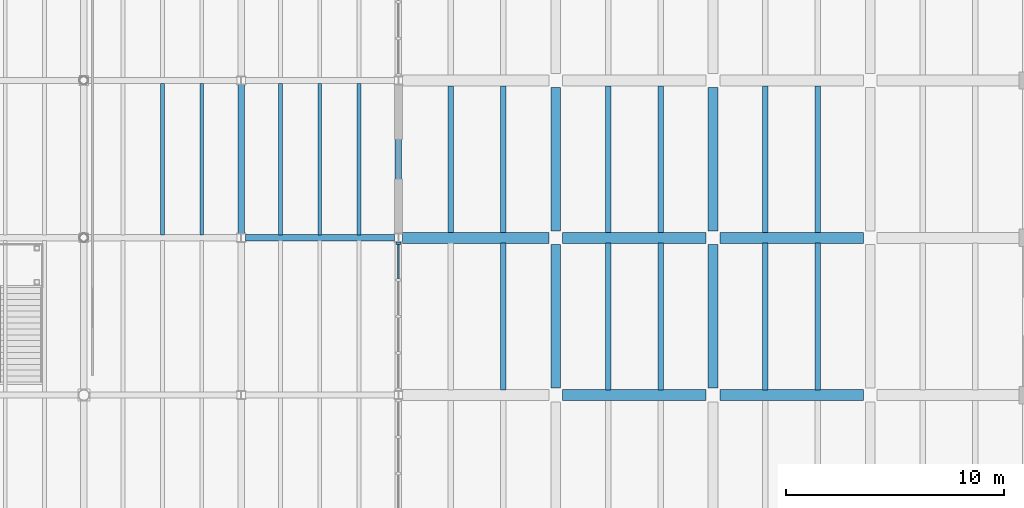
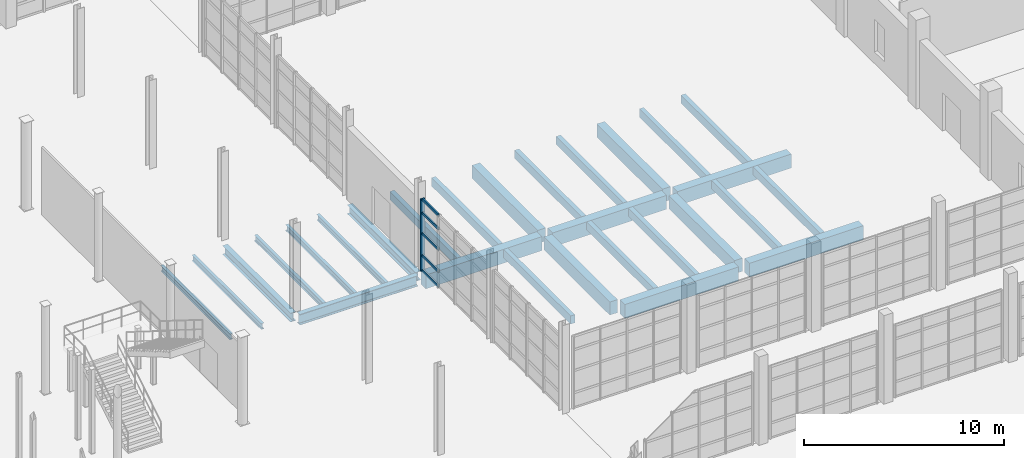
# One storey, part 31 of 79: 28 beams, 6 members, 1 element without a shape of its own.
"""IFC4 building model written with IfcOpenShell, lengths in metres."""

from ifc_helpers import new_model, si_unit, direction, frame, origin, origin_2d, place, context, subcontext, project, spatial, rectangle, i_section, extrude, material, material_profile, profile_set, type_object, element, aggregate, save


model = new_model("IFC4")

# Units and contexts
model_context = context("Model", 3, precision=1e-05, world=origin(), true_north=direction((0.0, 1.0)))
body_context = subcontext(model_context, "Body", "Model", "MODEL_VIEW")
ifc_project = project(units=[si_unit("LENGTHUNIT", "METRE"), si_unit("AREAUNIT", "SQUARE_METRE"), si_unit("VOLUMEUNIT", "CUBIC_METRE"), si_unit("PLANEANGLEUNIT", "RADIAN"), si_unit("MASSUNIT", "GRAM", prefix="KILO")], contexts=[model_context])

# Site, building, storey
site_placement = place(None, origin())
site = spatial("IfcSite", under=ifc_project, at=site_placement, CompositionType="ELEMENT")
building_placement = place(site_placement, origin())
building = spatial("IfcBuilding", under=site, at=building_placement, Name="Qiaolan Assembly House", CompositionType="ELEMENT")
storey_placement = place(building_placement, origin())
storey = spatial("IfcBuildingStorey", under=building, at=storey_placement, Name="L00", CompositionType="ELEMENT", Elevation=0.0)

# Beams
ifc_material_1 = material(Name="Concrete C40/50", Category="concrete")
ifc_material_profile_1 = material_profile(ifc_material_1, rectangle(XDim=0.449951171875, YDim=0.800048828125, at=origin_2d()), Name="RCB 450x800")
ifc_profile_set_1 = profile_set([ifc_material_profile_1], Name="Concrete C40/50")
beam_type_1 = type_object("IfcBeamType", Name="BM-RC-450x800", PredefinedType="BEAM", material=ifc_profile_set_1)
beam_1_placement = place(storey_placement, frame((115.199951171875, 50.715087890625, -0.739990234375), z_axis=(0.0, 1.0, 0.0), x_axis=(-1.0, 0.0, 0.0)))
element("IfcBeam", 1, at=beam_1_placement, inside=storey, type_object=beam_type_1, Name="GB-03 beam BMY-CLCRT-L00-01-01", PredefinedType="BEAM", context=body_context, shape_type="SweptSolid", body=[
    extrude(rectangle(XDim=0.449951171875, YDim=0.800048828125, at=origin_2d()), origin(), (0.0, 0.0, 1.0), 6.56982421875),
])
beam_2_placement = place(storey_placement, frame((115.199951171875, 57.9150390625, -0.739990234375), z_axis=(0.0, 1.0, 0.0), x_axis=(-1.0, 0.0, 0.0)))
element("IfcBeam", 2, at=beam_2_placement, inside=storey, type_object=beam_type_1, Name="GB-03 beam BMY-CLCRT-L00-01-02", PredefinedType="BEAM", context=body_context, shape_type="SweptSolid", body=[
    extrude(rectangle(XDim=0.449951171875, YDim=0.800048828125, at=origin_2d()), origin(), (0.0, 0.0, 1.0), 6.570068359375),
])
beam_3_placement = place(storey_placement, frame((122.39990234375, 50.715087890625, -0.739990234375), z_axis=(0.0, 1.0, 0.0), x_axis=(-1.0, 0.0, 0.0)))
element("IfcBeam", 3, at=beam_3_placement, inside=storey, type_object=beam_type_1, Name="GB-03 beam BMY-CLCRT-L00-02-01", PredefinedType="BEAM", context=body_context, shape_type="SweptSolid", body=[
    extrude(rectangle(XDim=0.449951171875, YDim=0.800048828125, at=origin_2d()), origin(), (0.0, 0.0, 1.0), 6.56982421875),
])
beam_4_placement = place(storey_placement, frame((122.39990234375, 57.9150390625, -0.739990234375), z_axis=(0.0, 1.0, 0.0), x_axis=(-1.0, 0.0, 0.0)))
element("IfcBeam", 4, at=beam_4_placement, inside=storey, type_object=beam_type_1, Name="GB-03 beam BMY-CLCRT-L00-02-02", PredefinedType="BEAM", context=body_context, shape_type="SweptSolid", body=[
    extrude(rectangle(XDim=0.449951171875, YDim=0.800048828125, at=origin_2d()), origin(), (0.0, 0.0, 1.0), 6.570068359375),
])
ifc_material_2 = material(Name="Concrete C45/55", Category="concrete")
ifc_material_profile_2 = material_profile(ifc_material_2, rectangle(XDim=0.5, YDim=0.85009765625, at=origin_2d()), Name="RCB 500x850")
ifc_profile_set_2 = profile_set([ifc_material_profile_2], Name="Concrete C45/55")
beam_type_2 = type_object("IfcBeamType", Name="BM-RC-500x850", PredefinedType="BEAM", material=ifc_profile_set_2)
beam_5_placement = place(storey_placement, frame((115.514892578125, 50.39990234375, -0.764892578125), z_axis=(1.0, 0.0, 0.0), x_axis=(0.0, 1.0, 0.0)))
element("IfcBeam", 5, at=beam_5_placement, inside=storey, type_object=beam_type_2, Name="GB-02 beam BMX-CLCRT-L00-01-01", PredefinedType="BEAM", context=body_context, shape_type="SweptSolid", body=[
    extrude(rectangle(XDim=0.5, YDim=0.85009765625, at=origin_2d()), origin(), (0.0, 0.0, 1.0), 6.570068359375),
])
beam_6_placement = place(storey_placement, frame((122.715087890625, 50.39990234375, -0.764892578125), z_axis=(1.0, 0.0, 0.0), x_axis=(0.0, 1.0, 0.0)))
element("IfcBeam", 6, at=beam_6_placement, inside=storey, type_object=beam_type_2, Name="GB-02 beam BMX-CLCRT-L00-02-01", PredefinedType="BEAM", context=body_context, shape_type="SweptSolid", body=[
    extrude(rectangle(XDim=0.5, YDim=0.85009765625, at=origin_2d()), origin(), (0.0, 0.0, 1.0), 6.56982421875),
])
beam_7_placement = place(storey_placement, frame((108.18994140625, 57.60009765625, -0.764892578125), z_axis=(1.0, 0.0, 0.0), x_axis=(0.0, 1.0, 0.0)))
element("IfcBeam", 7, at=beam_7_placement, inside=storey, type_object=beam_type_2, Name="GB-02 beam BMX-CLCRT-L00-00-02", PredefinedType="BEAM", context=body_context, shape_type="SweptSolid", body=[
    extrude(rectangle(XDim=0.5, YDim=0.85009765625, at=origin_2d()), origin(), (0.0, 0.0, 1.0), 6.695068359375),
])
beam_8_placement = place(storey_placement, frame((115.514892578125, 57.60009765625, -0.764892578125), z_axis=(1.0, 0.0, 0.0), x_axis=(0.0, 1.0, 0.0)))
element("IfcBeam", 8, at=beam_8_placement, inside=storey, type_object=beam_type_2, Name="GB-02 beam BMX-CLCRT-L00-01-02", PredefinedType="BEAM", context=body_context, shape_type="SweptSolid", body=[
    extrude(rectangle(XDim=0.5, YDim=0.85009765625, at=origin_2d()), origin(), (0.0, 0.0, 1.0), 6.570068359375),
])
beam_9_placement = place(storey_placement, frame((122.715087890625, 57.60009765625, -0.764892578125), z_axis=(1.0, 0.0, 0.0), x_axis=(0.0, 1.0, 0.0)))
element("IfcBeam", 9, at=beam_9_placement, inside=storey, type_object=beam_type_2, Name="GB-02 beam BMX-CLCRT-L00-02-02", PredefinedType="BEAM", context=body_context, shape_type="SweptSolid", body=[
    extrude(rectangle(XDim=0.5, YDim=0.85009765625, at=origin_2d()), origin(), (0.0, 0.0, 1.0), 6.56982421875),
])
ifc_material_3 = material(Name="Steel Q355B", Category="steel")
ifc_material_profile_3 = material_profile(ifc_material_3, i_section(OverallWidth=0.300048828125, OverallDepth=0.5400390625, WebThickness=0.010986328125, FlangeThickness=0.01806640625, FilletRadius=0.02001953125, at=origin_2d()), Name="HM 540x300x11x18")
ifc_profile_set_3 = profile_set([ifc_material_profile_3], Name="Steel Q355B")
beam_type_3 = type_object("IfcBeamType", Name="BM-STL-HM540", PredefinedType="BEAM", material=ifc_profile_set_3)
for number, where, z_axis, x_axis, name in (
    (10, (100.800048828125, 57.7900390625, -0.570068359375), (0.0, 1.0, 0.0), (-1.0, 0.0, 0.0), "SB-12 beam BMY-HL-L00-11-03"),
    (11, (108.0, 57.7900390625, -0.610107421875), (0.0, 1.0, 0.0), (-1.0, 0.0, 0.0), "SB-12 beam BMY-HL-L00-12-03"),
):
    element("IfcBeam", number, at=place(storey_placement, frame(where, z_axis=z_axis, x_axis=x_axis)), inside=storey, type_object=beam_type_3, Name=name, PredefinedType="BEAM", context=body_context, shape_type="SweptSolid", body=[
        extrude(i_section(OverallWidth=0.300048828125, OverallDepth=0.5400390625, WebThickness=0.010986328125, FlangeThickness=0.01806640625, FilletRadius=0.02001953125, at=origin_2d()), origin(), (0.0, 0.0, 1.0), 6.820068359375),
    ])
ifc_material_profile_4 = material_profile(ifc_material_3, i_section(OverallWidth=0.280029296875, OverallDepth=0.64990234375, WebThickness=0.011962890625, FlangeThickness=0.02197265625, FilletRadius=0.02197265625, at=origin_2d()), Name="HN 650x280x12x22")
ifc_profile_set_4 = profile_set([ifc_material_profile_4], Name="Steel Q355B")
beam_type_4 = type_object("IfcBeamType", Name="BM-STL-HN650", PredefinedType="BEAM", material=ifc_profile_set_4)
beam_10_placement = place(storey_placement, frame((100.989990234375, 57.60009765625, -0.625), z_axis=(1.0, 0.0, 0.0), x_axis=(0.0, 1.0, 0.0)))
element("IfcBeam", 12, at=beam_10_placement, inside=storey, type_object=beam_type_4, Name="SB-10 beam BMX-HL-L00-11-03", PredefinedType="BEAM", context=body_context, shape_type="SweptSolid", body=[
    extrude(i_section(OverallWidth=0.280029296875, OverallDepth=0.64990234375, WebThickness=0.011962890625, FlangeThickness=0.02197265625, FilletRadius=0.02197265625, at=origin_2d()), origin(), (0.0, 0.0, 1.0), 6.820068359375),
])

# Curtain wall, members
ifc_material_4 = material(Name="Anodised bronze aluminium", Category="aluminium")
curtain_wall_type = type_object("IfcCurtainWallType", Name="CW-HALL-MAIN-540", PredefinedType="NOTDEFINED", material=ifc_material_4)
curtain_wall_placement = place(storey_placement, origin())
curtain_wall = element("IfcCurtainWall", 13, at=curtain_wall_placement, inside=storey, type_object=curtain_wall_type, Name="CW-01 Hall East court curtain wall L00-2", PredefinedType="NOTDEFINED")
ifc_material_profile_5 = material_profile(ifc_material_4, rectangle(XDim=0.092041015625, YDim=0.219970703125, at=origin_2d()), Name="MUL 92x220")
ifc_profile_set_5 = profile_set([ifc_material_profile_5], Name="Anodised bronze aluminium")
member_type_1 = type_object("IfcMemberType", Name="CW-HALL-MAIN-540-MUL", PredefinedType="MULLION", material=ifc_profile_set_5)
member_1_placement = place(storey_placement, frame((108.0, 57.35009765625, 0.0), z_axis=(0.0, 0.0, 1.0), x_axis=(0.0, -1.0, 0.0)))
member_1 = element("IfcMember", 14, at=member_1_placement, type_object=member_type_1, Name="ML-01 mullion CW-HALL-E-L00-01-1", PredefinedType="MULLION", context=body_context, shape_type="SweptSolid", body=[
    extrude(rectangle(XDim=0.092041015625, YDim=0.219970703125, at=origin_2d()), origin(), (0.0, 0.0, 1.0), 4.39990234375),
])
ifc_material_profile_6 = material_profile(ifc_material_4, rectangle(XDim=0.08203125, YDim=0.159912109375, at=origin_2d()), Name="TRN 82x160")
ifc_profile_set_6 = profile_set([ifc_material_profile_6], Name="Anodised bronze aluminium")
member_type_2 = type_object("IfcMemberType", Name="CW-HALL-MAIN-540-TRN", PredefinedType="USERDEFINED", material=ifc_profile_set_6)
member_2_placement = place(storey_placement, frame((108.0, 57.303955078125, 0.030029296875), z_axis=(0.0, -1.0, 0.0), x_axis=(1.0, 0.0, 0.0)))
member_2 = element("IfcMember", 15, at=member_2_placement, type_object=member_type_2, Name="TR-01 transom CW-HALL-E-L00-01-1-1", ObjectType="TRANSOM", PredefinedType="USERDEFINED", context=body_context, shape_type="SweptSolid", body=[
    extrude(rectangle(XDim=0.08203125, YDim=0.159912109375, at=origin_2d()), origin(), (0.0, 0.0, 1.0), 1.5830078125),
])
member_3_placement = place(storey_placement, frame((108.0, 57.303955078125, 0.949951171875), z_axis=(0.0, -1.0, 0.0), x_axis=(1.0, 0.0, 0.0)))
member_3 = element("IfcMember", 16, at=member_3_placement, type_object=member_type_2, Name="TR-01 transom CW-HALL-E-L00-01-1-2", ObjectType="TRANSOM", PredefinedType="USERDEFINED", context=body_context, shape_type="SweptSolid", body=[
    extrude(rectangle(XDim=0.08203125, YDim=0.159912109375, at=origin_2d()), origin(), (0.0, 0.0, 1.0), 1.5830078125),
])
member_4_placement = place(storey_placement, frame((108.0, 57.303955078125, 2.2880859375), z_axis=(0.0, -1.0, 0.0), x_axis=(1.0, 0.0, 0.0)))
member_4 = element("IfcMember", 17, at=member_4_placement, type_object=member_type_2, Name="TR-01 transom CW-HALL-E-L00-01-1-3", ObjectType="TRANSOM", PredefinedType="USERDEFINED", context=body_context, shape_type="SweptSolid", body=[
    extrude(rectangle(XDim=0.08203125, YDim=0.159912109375, at=origin_2d()), origin(), (0.0, 0.0, 1.0), 1.5830078125),
])
member_5_placement = place(storey_placement, frame((108.0, 57.303955078125, 3.550048828125), z_axis=(0.0, -1.0, 0.0), x_axis=(1.0, 0.0, 0.0)))
member_5 = element("IfcMember", 18, at=member_5_placement, type_object=member_type_2, Name="TR-01 transom CW-HALL-E-L00-01-1-4", ObjectType="TRANSOM", PredefinedType="USERDEFINED", context=body_context, shape_type="SweptSolid", body=[
    extrude(rectangle(XDim=0.08203125, YDim=0.159912109375, at=origin_2d()), origin(), (0.0, 0.0, 1.0), 1.5830078125),
])
member_6_placement = place(storey_placement, frame((108.0, 57.303955078125, 4.3701171875), z_axis=(0.0, -1.0, 0.0), x_axis=(1.0, 0.0, 0.0)))
member_6 = element("IfcMember", 19, at=member_6_placement, type_object=member_type_2, Name="TR-01 transom CW-HALL-E-L00-01-1-5", ObjectType="TRANSOM", PredefinedType="USERDEFINED", context=body_context, shape_type="SweptSolid", body=[
    extrude(rectangle(XDim=0.08203125, YDim=0.159912109375, at=origin_2d()), origin(), (0.0, 0.0, 1.0), 1.5830078125),
])
aggregate(curtain_wall, [member_1, member_2, member_3, member_4, member_5, member_6])

# Beams
ifc_material_profile_7 = material_profile(ifc_material_1, rectangle(XDim=0.25, YDim=0.5, at=origin_2d()), Name="RCB 250x500")
ifc_profile_set_7 = profile_set([ifc_material_profile_7], Name="Concrete C40/50")
beam_type_5 = type_object("IfcBeamType", Name="JST-RC-250x500", PredefinedType="JOIST", material=ifc_profile_set_7)
for number, where, z_axis, x_axis, name in (
    (20, (112.800048828125, 50.64404296875, -0.590087890625), (0.0, 1.0, 0.0), (-1.0, 0.0, 0.0), "RJ-01 beam JST-CLCRT-L00-00-01-2"),
    (21, (110.39990234375, 57.843994140625, -0.590087890625), (0.0, 1.0, 0.0), (-1.0, 0.0, 0.0), "RJ-01 beam JST-CLCRT-L00-00-02-1"),
    (22, (112.800048828125, 57.843994140625, -0.590087890625), (0.0, 1.0, 0.0), (-1.0, 0.0, 0.0), "RJ-01 beam JST-CLCRT-L00-00-02-2"),
    (23, (117.60009765625, 50.64404296875, -0.590087890625), (0.0, 1.0, 0.0), (-1.0, 0.0, 0.0), "RJ-01 beam JST-CLCRT-L00-01-01-1"),
    (24, (120.0, 50.64404296875, -0.590087890625), (0.0, 1.0, 0.0), (-1.0, 0.0, 0.0), "RJ-01 beam JST-CLCRT-L00-01-01-2"),
    (25, (117.60009765625, 57.843994140625, -0.590087890625), (0.0, 1.0, 0.0), (-1.0, 0.0, 0.0), "RJ-01 beam JST-CLCRT-L00-01-02-1"),
    (26, (120.0, 57.843994140625, -0.590087890625), (0.0, 1.0, 0.0), (-1.0, 0.0, 0.0), "RJ-01 beam JST-CLCRT-L00-01-02-2"),
    (27, (124.800048828125, 50.64404296875, -0.590087890625), (0.0, 1.0, 0.0), (-1.0, 0.0, 0.0), "RJ-01 beam JST-CLCRT-L00-02-01-1"),
    (28, (127.199951171875, 50.64404296875, -0.590087890625), (0.0, 1.0, 0.0), (-1.0, 0.0, 0.0), "RJ-01 beam JST-CLCRT-L00-02-01-2"),
    (29, (124.800048828125, 57.843994140625, -0.590087890625), (0.0, 1.0, 0.0), (-1.0, 0.0, 0.0), "RJ-01 beam JST-CLCRT-L00-02-02-1"),
    (30, (127.199951171875, 57.843994140625, -0.590087890625), (0.0, 1.0, 0.0), (-1.0, 0.0, 0.0), "RJ-01 beam JST-CLCRT-L00-02-02-2"),
):
    element("IfcBeam", number, at=place(storey_placement, frame(where, z_axis=z_axis, x_axis=x_axis)), inside=storey, type_object=beam_type_5, Name=name, PredefinedType="JOIST", context=body_context, shape_type="SweptSolid", body=[
        extrude(rectangle(XDim=0.25, YDim=0.5, at=origin_2d()), origin(), (0.0, 0.0, 1.0), 6.7119140625),
    ])
ifc_material_profile_8 = material_profile(ifc_material_3, i_section(OverallWidth=0.175048828125, OverallDepth=0.35009765625, WebThickness=0.007080078125, FlangeThickness=0.010986328125, FilletRadius=0.013916015625, at=origin_2d()), Name="HN 350x175x7x11")
ifc_profile_set_8 = profile_set([ifc_material_profile_8], Name="Steel Q355B")
beam_type_6 = type_object("IfcBeamType", Name="JST-STL-HN350", PredefinedType="JOIST", material=ifc_profile_set_8)
for number, where, z_axis, x_axis, name in (
    (31, (97.199951171875, 57.73388671875, -0.47509765625), (0.0, 1.0, 0.0), (-1.0, 0.0, 0.0), "SJ-01 beam JST-HL-L00-10-03-2"),
    (32, (99.0, 57.73388671875, -0.47509765625), (0.0, 1.0, 0.0), (-1.0, 0.0, 0.0), "SJ-01 beam JST-HL-L00-10-03-3"),
    (33, (102.60009765625, 57.73388671875, -0.514892578125), (0.0, 1.0, 0.0), (-1.0, 0.0, 0.0), "SJ-01 beam JST-HL-L00-11-03-1"),
    (34, (104.39990234375, 57.73388671875, -0.514892578125), (0.0, 1.0, 0.0), (-1.0, 0.0, 0.0), "SJ-01 beam JST-HL-L00-11-03-2"),
    (35, (106.199951171875, 57.73388671875, -0.514892578125), (0.0, 1.0, 0.0), (-1.0, 0.0, 0.0), "SJ-01 beam JST-HL-L00-11-03-3"),
):
    element("IfcBeam", number, at=place(storey_placement, frame(where, z_axis=z_axis, x_axis=x_axis)), inside=storey, type_object=beam_type_6, Name=name, PredefinedType="JOIST", context=body_context, shape_type="SweptSolid", body=[
        extrude(i_section(OverallWidth=0.175048828125, OverallDepth=0.35009765625, WebThickness=0.007080078125, FlangeThickness=0.010986328125, FilletRadius=0.013916015625, at=origin_2d()), origin(), (0.0, 0.0, 1.0), 6.93212890625),
    ])

save(model, "model.ifc")
